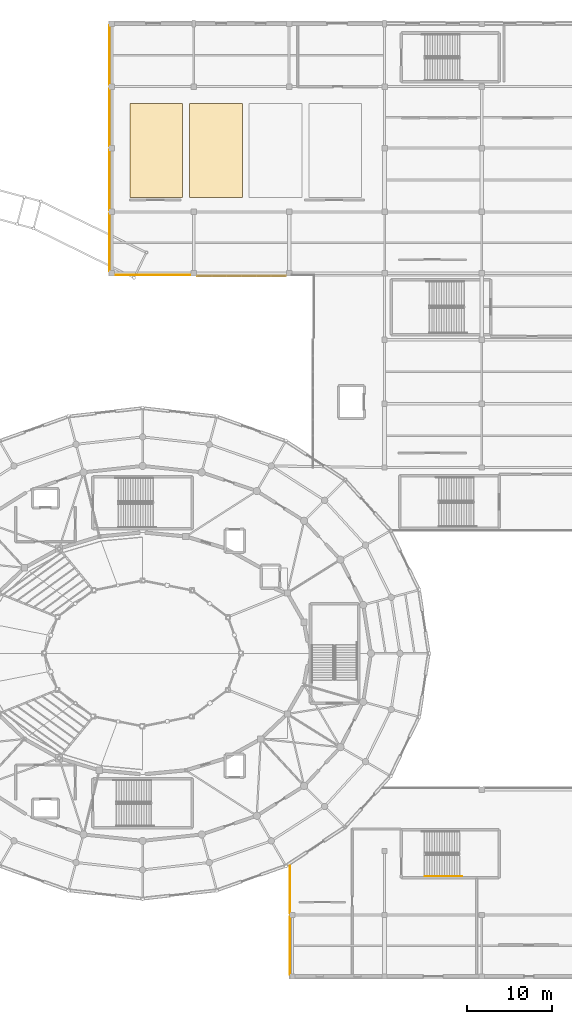
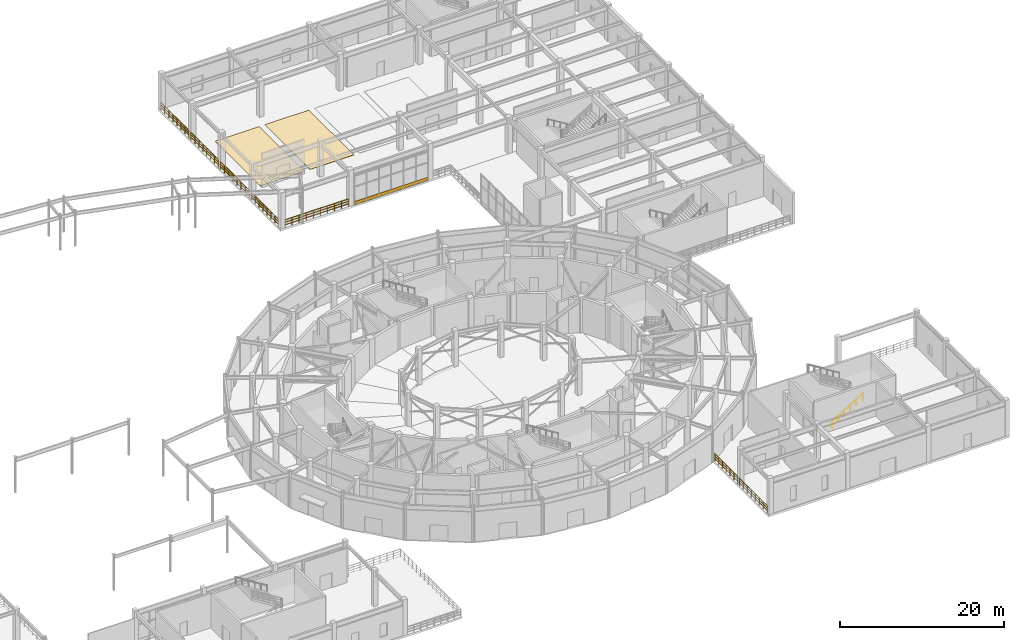
# One storey, part 90 of 93: 8 railings, 3 coverings.
"""IFC4 building model written with IfcOpenShell, lengths in metres."""

from ifc_helpers import new_model, si_unit, direction, frame, origin, origin_2d, place, context, subcontext, project, spatial, polyline, rectangle, circle, outline, extrude, material, layer, layer_set, type_object, element, save


model = new_model("IFC4")

# Units and contexts
model_context = context("Model", 3, precision=1e-05, world=origin(), true_north=direction((0.0, 1.0)))
body_context = subcontext(model_context, "Body", "Model", "MODEL_VIEW")
ifc_project = project(units=[si_unit("LENGTHUNIT", "METRE"), si_unit("AREAUNIT", "SQUARE_METRE"), si_unit("VOLUMEUNIT", "CUBIC_METRE"), si_unit("PLANEANGLEUNIT", "RADIAN"), si_unit("MASSUNIT", "GRAM", prefix="KILO")], contexts=[model_context])

# Site, building, storey
site_placement = place(None, origin())
site = spatial("IfcSite", under=ifc_project, at=site_placement, CompositionType="ELEMENT")
building_placement = place(site_placement, origin())
building = spatial("IfcBuilding", under=site, at=building_placement, Name="Cinderbank Siding Concert Hall", CompositionType="ELEMENT")
storey_placement = place(building_placement, origin())
storey = spatial("IfcBuildingStorey", under=building, at=storey_placement, Name="L01", CompositionType="ELEMENT", Elevation=0.0)

# Coverings
ifc_material_1 = material(Name="Spotted gum glulam timber GL18 (42 MPa)", Category="wood")
ifc_layer_1 = layer(ifc_material_1, 0.06494140625)
ifc_layer_set_1 = layer_set([ifc_layer_1], Name="Spotted gum glulam timber GL18 (42 MPa)")
covering_type_1 = type_object("IfcCoveringType", Name="CL-01 Spotted Gum Spandrel Band 520mm", PredefinedType="CLADDING", material=ifc_layer_set_1)
covering_1_placement = place(storey_placement, frame((133.60009765625, 88.300048828125, 0.0), z_axis=(0.0, 0.0, 1.0), x_axis=(1.0, 0.0, 0.0)))
element("IfcCovering", 1, at=covering_1_placement, inside=storey, type_object=covering_type_1, Name="CW-L01-150 Spotted Gum Spandrel Band", PredefinedType="CLADDING", context=body_context, shape_type="SweptSolid", body=[
    extrude(rectangle(XDim=10.419921875, YDim=0.06494140625, at=origin_2d()), origin(), (0.0, 0.0, 1.0), 0.52001953125),
])
ifc_layer_2 = layer(ifc_material_1, 0.0400390625)
ifc_layer_set_2 = layer_set([ifc_layer_2], Name="Spotted gum glulam timber GL18 (42 MPa)")
covering_type_2 = type_object("IfcCoveringType", Name="FLR-01 Sprung Spotted Gum Stage Flooring", PredefinedType="FLOORING", material=ifc_layer_set_2)
covering_2_placement = place(storey_placement, origin())
element("IfcCovering", 2, at=covering_2_placement, inside=storey, type_object=covering_type_2, Name="Orchestral Rehearsal Sprung Floor Bay 1", PredefinedType="FLOORING", context=body_context, shape_type="SweptSolid", body=[
    extrude(outline(polyline([(120.5, 97.5), (126.699951171875, 97.5), (126.699951171875, 108.5), (120.5, 108.5), (120.5, 97.5)])), origin(), (0.0, 0.0, 1.0), 0.0400390625),
])
covering_3_placement = place(storey_placement, origin())
element("IfcCovering", 3, at=covering_3_placement, inside=storey, type_object=covering_type_2, Name="Orchestral Rehearsal Sprung Floor Bay 2", PredefinedType="FLOORING", context=body_context, shape_type="SweptSolid", body=[
    extrude(outline(polyline([(127.5, 97.5), (133.699951171875, 97.5), (133.699951171875, 108.5), (127.5, 108.5), (127.5, 97.5)])), origin(), (0.0, 0.0, 1.0), 0.0400390625),
])

# Railings
ifc_material_2 = material(Name="Structural steel AS/NZS 3679.1 Grade 350 (340 MPa)", Category="steel")
railing_type_1 = type_object("IfcRailingType", Name="GD-01 Terrace & Perimeter Guardrail 1120mm", PredefinedType="GUARDRAIL", material=ifc_material_2)
railing_1_placement = place(storey_placement, frame((127.671630859375, 88.39990234375, 0.0)))
element("IfcRailing", 4, at=railing_1_placement, inside=storey, type_object=railing_type_1, Name="L01 Perimeter Guardrail #3", PredefinedType="GUARDRAIL", context=body_context, shape_type="SweptSolid", body=[
    extrude(circle(Radius=0.02392578125, at=origin_2d()), frame((0.0, 0.0, 1.09619140625), z_axis=(-1.0, 0.0, 0.0), x_axis=(0.0, -1.0, 0.0)), (0.0, 0.0, 1.0), 8.943115234375),
    extrude(circle(Radius=0.01611328125, at=origin_2d()), frame((0.0, 0.0, 0.36962890625), z_axis=(-1.0, 0.0, 0.0), x_axis=(0.0, -1.0, 0.0)), (0.0, 0.0, 1.0), 8.943115234375),
    extrude(circle(Radius=0.01611328125, at=origin_2d()), frame((0.0, 0.0, 0.7392578125), z_axis=(-1.0, 0.0, 0.0), x_axis=(0.0, -1.0, 0.0)), (0.0, 0.0, 1.0), 8.943115234375),
    extrude(circle(Radius=0.02099609375, at=origin_2d()), origin(), (0.0, 0.0, 1.0), 1.072021484375),
    extrude(circle(Radius=0.02099609375, at=origin_2d()), frame((-0.99365234375, 0.0, 0.0)), (0.0, 0.0, 1.0), 1.072021484375),
    extrude(circle(Radius=0.02099609375, at=origin_2d()), frame((-1.9873046875, 0.0, 0.0)), (0.0, 0.0, 1.0), 1.072021484375),
    extrude(circle(Radius=0.02099609375, at=origin_2d()), frame((-2.98095703125, 0.0, 0.0)), (0.0, 0.0, 1.0), 1.072021484375),
    extrude(circle(Radius=0.02099609375, at=origin_2d()), frame((-3.974609375, 0.0, 0.0)), (0.0, 0.0, 1.0), 1.072021484375),
    extrude(circle(Radius=0.02099609375, at=origin_2d()), frame((-4.968505859375, 0.0, 0.0)), (0.0, 0.0, 1.0), 1.072021484375),
    extrude(circle(Radius=0.02099609375, at=origin_2d()), frame((-5.962158203125, 0.0, 0.0)), (0.0, 0.0, 1.0), 1.072021484375),
    extrude(circle(Radius=0.02099609375, at=origin_2d()), frame((-6.955810546875, 0.0, 0.0)), (0.0, 0.0, 1.0), 1.072021484375),
    extrude(circle(Radius=0.02099609375, at=origin_2d()), frame((-7.949462890625, 0.0, 0.0)), (0.0, 0.0, 1.0), 1.072021484375),
    extrude(circle(Radius=0.02099609375, at=origin_2d()), frame((-8.943115234375, 0.0, 0.0)), (0.0, 0.0, 1.0), 1.072021484375),
])
railing_2_placement = place(storey_placement, frame((118.10009765625, 88.841064453125, 0.0)))
element("IfcRailing", 5, at=railing_2_placement, inside=storey, type_object=railing_type_1, Name="L01 Perimeter Guardrail #4", PredefinedType="GUARDRAIL", context=body_context, shape_type="SweptSolid", body=[
    extrude(circle(Radius=0.02392578125, at=origin_2d()), frame((0.0, 0.0, 1.09619140625), z_axis=(0.0, 1.0, 0.0), x_axis=(-1.0, 0.0, 0.0)), (0.0, 0.0, 1.0), 6.718017578125),
    extrude(circle(Radius=0.01611328125, at=origin_2d()), frame((0.0, 0.0, 0.36962890625), z_axis=(0.0, 1.0, 0.0), x_axis=(-1.0, 0.0, 0.0)), (0.0, 0.0, 1.0), 6.718017578125),
    extrude(circle(Radius=0.01611328125, at=origin_2d()), frame((0.0, 0.0, 0.7392578125), z_axis=(0.0, 1.0, 0.0), x_axis=(-1.0, 0.0, 0.0)), (0.0, 0.0, 1.0), 6.718017578125),
    extrude(circle(Radius=0.02099609375, at=origin_2d()), origin(), (0.0, 0.0, 1.0), 1.072021484375),
    extrude(circle(Radius=0.02099609375, at=origin_2d()), frame((0.0, 0.959716796875, 0.0)), (0.0, 0.0, 1.0), 1.072021484375),
    extrude(circle(Radius=0.02099609375, at=origin_2d()), frame((0.0, 1.91943359375, 0.0)), (0.0, 0.0, 1.0), 1.072021484375),
    extrude(circle(Radius=0.02099609375, at=origin_2d()), frame((0.0, 2.879150390625, 0.0)), (0.0, 0.0, 1.0), 1.072021484375),
    extrude(circle(Radius=0.02099609375, at=origin_2d()), frame((0.0, 3.8388671875, 0.0)), (0.0, 0.0, 1.0), 1.072021484375),
    extrude(circle(Radius=0.02099609375, at=origin_2d()), frame((0.0, 4.798583984375, 0.0)), (0.0, 0.0, 1.0), 1.072021484375),
    extrude(circle(Radius=0.02099609375, at=origin_2d()), frame((0.0, 5.75830078125, 0.0)), (0.0, 0.0, 1.0), 1.072021484375),
    extrude(circle(Radius=0.02099609375, at=origin_2d()), frame((0.0, 6.718017578125, 0.0)), (0.0, 0.0, 1.0), 1.072021484375),
])
railing_3_placement = place(storey_placement, frame((118.10009765625, 96.041015625, 0.0)))
element("IfcRailing", 6, at=railing_3_placement, inside=storey, type_object=railing_type_1, Name="L01 Perimeter Guardrail #5", PredefinedType="GUARDRAIL", context=body_context, shape_type="SweptSolid", body=[
    extrude(circle(Radius=0.02392578125, at=origin_2d()), frame((0.0, 0.0, 1.09619140625), z_axis=(0.0, 1.0, 0.0), x_axis=(-1.0, 0.0, 0.0)), (0.0, 0.0, 1.0), 7.01806640625),
    extrude(circle(Radius=0.01611328125, at=origin_2d()), frame((0.0, 0.0, 0.36962890625), z_axis=(0.0, 1.0, 0.0), x_axis=(-1.0, 0.0, 0.0)), (0.0, 0.0, 1.0), 7.01806640625),
    extrude(circle(Radius=0.01611328125, at=origin_2d()), frame((0.0, 0.0, 0.7392578125), z_axis=(0.0, 1.0, 0.0), x_axis=(-1.0, 0.0, 0.0)), (0.0, 0.0, 1.0), 7.01806640625),
    extrude(circle(Radius=0.02099609375, at=origin_2d()), origin(), (0.0, 0.0, 1.0), 1.072021484375),
    extrude(circle(Radius=0.02099609375, at=origin_2d()), frame((0.0, 1.002685546875, 0.0)), (0.0, 0.0, 1.0), 1.072021484375),
    extrude(circle(Radius=0.02099609375, at=origin_2d()), frame((0.0, 2.005126953125, 0.0)), (0.0, 0.0, 1.0), 1.072021484375),
    extrude(circle(Radius=0.02099609375, at=origin_2d()), frame((0.0, 3.0078125, 0.0)), (0.0, 0.0, 1.0), 1.072021484375),
    extrude(circle(Radius=0.02099609375, at=origin_2d()), frame((0.0, 4.01025390625, 0.0)), (0.0, 0.0, 1.0), 1.072021484375),
    extrude(circle(Radius=0.02099609375, at=origin_2d()), frame((0.0, 5.012939453125, 0.0)), (0.0, 0.0, 1.0), 1.072021484375),
    extrude(circle(Radius=0.02099609375, at=origin_2d()), frame((0.0, 6.015380859375, 0.0)), (0.0, 0.0, 1.0), 1.072021484375),
    extrude(circle(Radius=0.02099609375, at=origin_2d()), frame((0.0, 7.01806640625, 0.0)), (0.0, 0.0, 1.0), 1.072021484375),
])
railing_4_placement = place(storey_placement, frame((118.10009765625, 103.541015625, 0.0)))
element("IfcRailing", 7, at=railing_4_placement, inside=storey, type_object=railing_type_1, Name="L01 Perimeter Guardrail #6", PredefinedType="GUARDRAIL", context=body_context, shape_type="SweptSolid", body=[
    extrude(circle(Radius=0.02392578125, at=origin_2d()), frame((0.0, 0.0, 1.09619140625), z_axis=(0.0, 1.0, 0.0), x_axis=(-1.0, 0.0, 0.0)), (0.0, 0.0, 1.0), 6.718017578125),
    extrude(circle(Radius=0.01611328125, at=origin_2d()), frame((0.0, 0.0, 0.36962890625), z_axis=(0.0, 1.0, 0.0), x_axis=(-1.0, 0.0, 0.0)), (0.0, 0.0, 1.0), 6.718017578125),
    extrude(circle(Radius=0.01611328125, at=origin_2d()), frame((0.0, 0.0, 0.7392578125), z_axis=(0.0, 1.0, 0.0), x_axis=(-1.0, 0.0, 0.0)), (0.0, 0.0, 1.0), 6.718017578125),
    extrude(circle(Radius=0.02099609375, at=origin_2d()), origin(), (0.0, 0.0, 1.0), 1.072021484375),
    extrude(circle(Radius=0.02099609375, at=origin_2d()), frame((0.0, 0.959716796875, 0.0)), (0.0, 0.0, 1.0), 1.072021484375),
    extrude(circle(Radius=0.02099609375, at=origin_2d()), frame((0.0, 1.91943359375, 0.0)), (0.0, 0.0, 1.0), 1.072021484375),
    extrude(circle(Radius=0.02099609375, at=origin_2d()), frame((0.0, 2.879150390625, 0.0)), (0.0, 0.0, 1.0), 1.072021484375),
    extrude(circle(Radius=0.02099609375, at=origin_2d()), frame((0.0, 3.8388671875, 0.0)), (0.0, 0.0, 1.0), 1.072021484375),
    extrude(circle(Radius=0.02099609375, at=origin_2d()), frame((0.0, 4.798583984375, 0.0)), (0.0, 0.0, 1.0), 1.072021484375),
    extrude(circle(Radius=0.02099609375, at=origin_2d()), frame((0.0, 5.75830078125, 0.0)), (0.0, 0.0, 1.0), 1.072021484375),
    extrude(circle(Radius=0.02099609375, at=origin_2d()), frame((0.0, 6.718017578125, 0.0)), (0.0, 0.0, 1.0), 1.072021484375),
])
railing_5_placement = place(storey_placement, frame((118.10009765625, 110.740966796875, 0.0)))
element("IfcRailing", 8, at=railing_5_placement, inside=storey, type_object=railing_type_1, Name="L01 Perimeter Guardrail #7", PredefinedType="GUARDRAIL", context=body_context, shape_type="SweptSolid", body=[
    extrude(circle(Radius=0.02392578125, at=origin_2d()), frame((0.0, 0.0, 1.09619140625), z_axis=(0.0, 1.0, 0.0), x_axis=(-1.0, 0.0, 0.0)), (0.0, 0.0, 1.0), 6.91796875),
    extrude(circle(Radius=0.01611328125, at=origin_2d()), frame((0.0, 0.0, 0.36962890625), z_axis=(0.0, 1.0, 0.0), x_axis=(-1.0, 0.0, 0.0)), (0.0, 0.0, 1.0), 6.91796875),
    extrude(circle(Radius=0.01611328125, at=origin_2d()), frame((0.0, 0.0, 0.7392578125), z_axis=(0.0, 1.0, 0.0), x_axis=(-1.0, 0.0, 0.0)), (0.0, 0.0, 1.0), 6.91796875),
    extrude(circle(Radius=0.02099609375, at=origin_2d()), origin(), (0.0, 0.0, 1.0), 1.072021484375),
    extrude(circle(Radius=0.02099609375, at=origin_2d()), frame((0.0, 0.98828125, 0.0)), (0.0, 0.0, 1.0), 1.072021484375),
    extrude(circle(Radius=0.02099609375, at=origin_2d()), frame((0.0, 1.9765625, 0.0)), (0.0, 0.0, 1.0), 1.072021484375),
    extrude(circle(Radius=0.02099609375, at=origin_2d()), frame((0.0, 2.96484375, 0.0)), (0.0, 0.0, 1.0), 1.072021484375),
    extrude(circle(Radius=0.02099609375, at=origin_2d()), frame((0.0, 3.953125, 0.0)), (0.0, 0.0, 1.0), 1.072021484375),
    extrude(circle(Radius=0.02099609375, at=origin_2d()), frame((0.0, 4.94140625, 0.0)), (0.0, 0.0, 1.0), 1.072021484375),
    extrude(circle(Radius=0.02099609375, at=origin_2d()), frame((0.0, 5.9296875, 0.0)), (0.0, 0.0, 1.0), 1.072021484375),
    extrude(circle(Radius=0.02099609375, at=origin_2d()), frame((0.0, 6.91796875, 0.0)), (0.0, 0.0, 1.0), 1.072021484375),
])
railing_6_placement = place(storey_placement, frame((139.300048828125, 6.298828125, 0.0)))
element("IfcRailing", 9, at=railing_6_placement, inside=storey, type_object=railing_type_1, Name="L01 Perimeter Guardrail #11", PredefinedType="GUARDRAIL", context=body_context, shape_type="SweptSolid", body=[
    extrude(circle(Radius=0.02392578125, at=origin_2d()), frame((0.0, 0.0, 1.09619140625), z_axis=(0.0, 1.0, 0.0), x_axis=(-1.0, 0.0, 0.0)), (0.0, 0.0, 1.0), 6.80224609375),
    extrude(circle(Radius=0.01611328125, at=origin_2d()), frame((0.0, 0.0, 0.36962890625), z_axis=(0.0, 1.0, 0.0), x_axis=(-1.0, 0.0, 0.0)), (0.0, 0.0, 1.0), 6.80224609375),
    extrude(circle(Radius=0.01611328125, at=origin_2d()), frame((0.0, 0.0, 0.7392578125), z_axis=(0.0, 1.0, 0.0), x_axis=(-1.0, 0.0, 0.0)), (0.0, 0.0, 1.0), 6.80224609375),
    extrude(circle(Radius=0.02099609375, at=origin_2d()), origin(), (0.0, 0.0, 1.0), 1.072021484375),
    extrude(circle(Radius=0.02099609375, at=origin_2d()), frame((0.0, 0.9716796875, 0.0)), (0.0, 0.0, 1.0), 1.072021484375),
    extrude(circle(Radius=0.02099609375, at=origin_2d()), frame((0.0, 1.943603515625, 0.0)), (0.0, 0.0, 1.0), 1.072021484375),
    extrude(circle(Radius=0.02099609375, at=origin_2d()), frame((0.0, 2.915283203125, 0.0)), (0.0, 0.0, 1.0), 1.072021484375),
    extrude(circle(Radius=0.02099609375, at=origin_2d()), frame((0.0, 3.886962890625, 0.0)), (0.0, 0.0, 1.0), 1.072021484375),
    extrude(circle(Radius=0.02099609375, at=origin_2d()), frame((0.0, 4.858642578125, 0.0)), (0.0, 0.0, 1.0), 1.072021484375),
    extrude(circle(Radius=0.02099609375, at=origin_2d()), frame((0.0, 5.83056640625, 0.0)), (0.0, 0.0, 1.0), 1.072021484375),
    extrude(circle(Radius=0.02099609375, at=origin_2d()), frame((0.0, 6.80224609375, 0.0)), (0.0, 0.0, 1.0), 1.072021484375),
])
railing_7_placement = place(storey_placement, frame((139.300048828125, 13.498779296875, 0.0)))
element("IfcRailing", 10, at=railing_7_placement, inside=storey, type_object=railing_type_1, Name="L01 Perimeter Guardrail #12", PredefinedType="GUARDRAIL", context=body_context, shape_type="SweptSolid", body=[
    extrude(circle(Radius=0.02392578125, at=origin_2d()), frame((0.0, 0.0, 1.09619140625), z_axis=(0.0, 1.0, 0.0), x_axis=(-1.0, 0.0, 0.0)), (0.0, 0.0, 1.0), 5.577392578125),
    extrude(circle(Radius=0.01611328125, at=origin_2d()), frame((0.0, 0.0, 0.36962890625), z_axis=(0.0, 1.0, 0.0), x_axis=(-1.0, 0.0, 0.0)), (0.0, 0.0, 1.0), 5.577392578125),
    extrude(circle(Radius=0.01611328125, at=origin_2d()), frame((0.0, 0.0, 0.7392578125), z_axis=(0.0, 1.0, 0.0), x_axis=(-1.0, 0.0, 0.0)), (0.0, 0.0, 1.0), 5.577392578125),
    extrude(circle(Radius=0.02099609375, at=origin_2d()), origin(), (0.0, 0.0, 1.0), 1.072021484375),
    extrude(circle(Radius=0.02099609375, at=origin_2d()), frame((0.0, 0.9296875, 0.0)), (0.0, 0.0, 1.0), 1.072021484375),
    extrude(circle(Radius=0.02099609375, at=origin_2d()), frame((0.0, 1.859130859375, 0.0)), (0.0, 0.0, 1.0), 1.072021484375),
    extrude(circle(Radius=0.02099609375, at=origin_2d()), frame((0.0, 2.78857421875, 0.0)), (0.0, 0.0, 1.0), 1.072021484375),
    extrude(circle(Radius=0.02099609375, at=origin_2d()), frame((0.0, 3.71826171875, 0.0)), (0.0, 0.0, 1.0), 1.072021484375),
    extrude(circle(Radius=0.02099609375, at=origin_2d()), frame((0.0, 4.64794921875, 0.0)), (0.0, 0.0, 1.0), 1.072021484375),
    extrude(circle(Radius=0.02099609375, at=origin_2d()), frame((0.0, 5.577392578125, 0.0)), (0.0, 0.0, 1.0), 1.072021484375),
])
railing_type_2 = type_object("IfcRailingType", Name="STH-01 Stair Pitch Handrail 920mm", PredefinedType="HANDRAIL", material=ifc_material_2)
railing_8_placement = place(storey_placement, frame((155.10009765625, 17.85009765625, 0.179931640625)))
element("IfcRailing", 11, at=railing_8_placement, inside=storey, type_object=railing_type_2, Name="L01 ST-10 stair handrail 1", PredefinedType="HANDRAIL", context=body_context, shape_type="SweptSolid", body=[
    extrude(circle(Radius=0.02392578125, at=origin_2d()), frame((0.0, 0.0, 0.89599609375), z_axis=(0.849636482215, 0.0, 0.527368797038), x_axis=(0.0, 1.0, 0.0)), (0.0, 0.0, 1.0), 5.11962890625),
    extrude(circle(Radius=0.02392578125, at=origin_2d()), frame((4.349853515625, 0.0, 3.595703125), z_axis=(1.0, 0.0, 0.0), x_axis=(0.0, 1.0, 0.0)), (0.0, 0.0, 1.0), 0.06005859375),
    extrude(circle(Radius=0.02099609375, at=origin_2d()), origin(), (0.0, 0.0, 1.0), 0.871826171875),
    extrude(circle(Radius=0.02099609375, at=origin_2d()), frame((0.869873046875, 0.0, 0.5400390625)), (0.0, 0.0, 1.0), 0.871826171875),
    extrude(circle(Radius=0.02099609375, at=origin_2d()), frame((1.739990234375, 0.0, 1.080078125)), (0.0, 0.0, 1.0), 0.871826171875),
    extrude(circle(Radius=0.02099609375, at=origin_2d()), frame((2.60986328125, 0.0, 1.619873046875)), (0.0, 0.0, 1.0), 0.871826171875),
    extrude(circle(Radius=0.02099609375, at=origin_2d()), frame((3.47998046875, 0.0, 2.159912109375)), (0.0, 0.0, 1.0), 0.871826171875),
    extrude(circle(Radius=0.02099609375, at=origin_2d()), frame((4.349853515625, 0.0, 2.699951171875)), (0.0, 0.0, 1.0), 0.871826171875),
    extrude(circle(Radius=0.02099609375, at=origin_2d()), frame((4.409912109375, 0.0, 2.52001953125)), (0.0, 0.0, 1.0), 1.0517578125),
])

save(model, "model.ifc")
